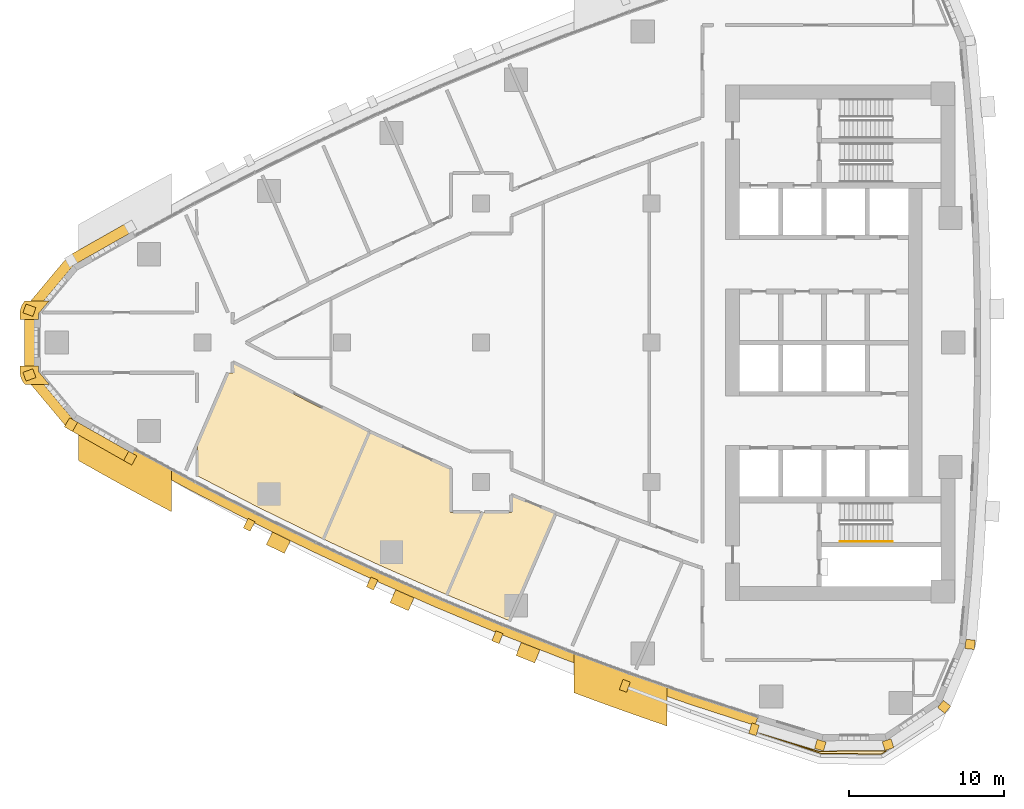
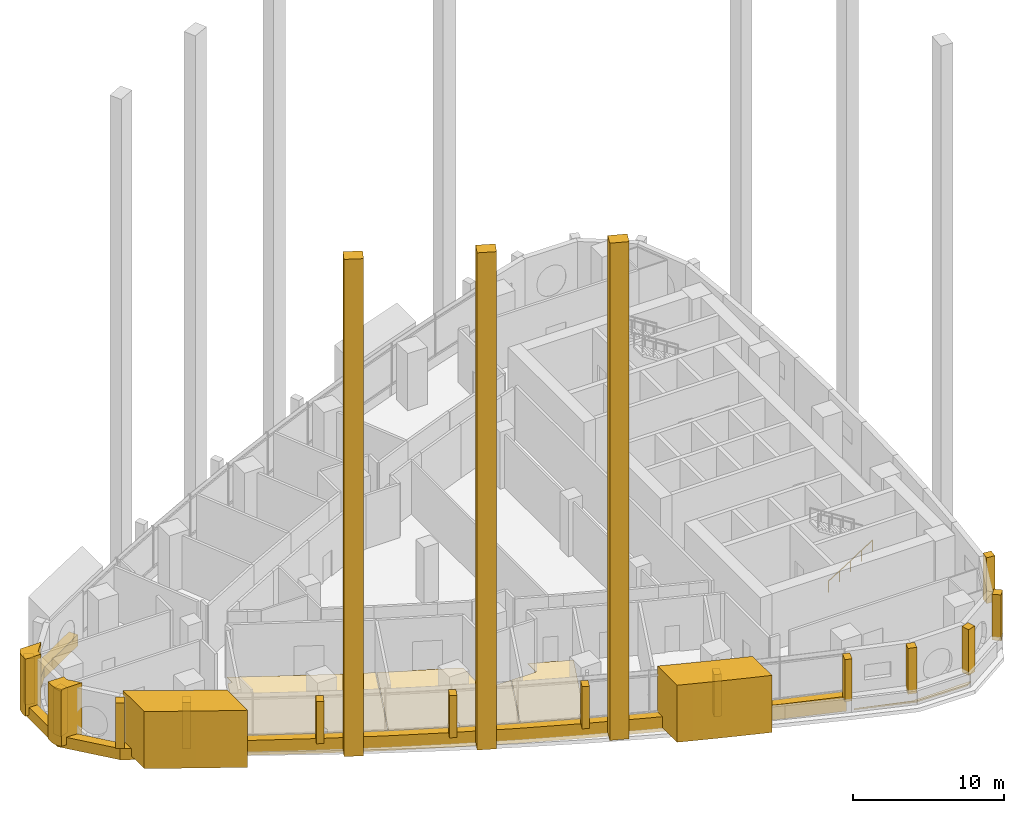
# One storey, part 13 of 17: 26 coverings, 1 railing.
"""IFC4 building model written with IfcOpenShell, lengths in metres."""

import ifcopenshell
import ifcopenshell.guid

model = None  # the IFC model being written
_history = None  # IfcOwnerHistory: only IFC2X3 demands one
_inside = {}  # id of a spatial element -> (the spatial element, [elements in it])
_under = {}  # id of a project, library or spatial element -> (it, [spatial elements below it])
_declared = {}  # id of a project -> (the project, [libraries it declares])
_typed = {}  # id of a type object -> (the type object, [elements of that type])
_made_of = {}  # id of a material, layer set ... -> (it, [elements and type objects made of it])


def new_model(schema):
    """Start an empty IFC model of exactly this schema.

    Asked for "IFC4X3", IfcOpenShell would pick the latest addendum, in which some entities
    have other attributes; the version numbers below select the first issue.
    IFC2X3 requires an IfcOwnerHistory on every rooted entity: one is made here for all.
    """
    global model, _history
    if schema == "IFC4X3":
        model = ifcopenshell.file(schema_version=(4, 3, 0, 0))
    else:
        model = ifcopenshell.file(schema=schema)
    _inside.clear()
    _under.clear()
    _declared.clear()
    _typed.clear()
    _made_of.clear()
    _history = None
    if model.schema == "IFC2X3":
        org = make("IfcOrganization", Name="unknown")
        user = make(
            "IfcPersonAndOrganization",
            ThePerson=make("IfcPerson", FamilyName="unknown"),
            TheOrganization=org,
        )
        app = make(
            "IfcApplication",
            ApplicationDeveloper=org,
            Version="unknown",
            ApplicationFullName="unknown",
            ApplicationIdentifier="unknown",
        )
        _history = make(
            "IfcOwnerHistory",
            OwningUser=user,
            OwningApplication=app,
            ChangeAction="ADDED",
            CreationDate=0,
        )
    return model


def make(cls, **values):
    """One entity of the class cls with the attributes given. An attribute that is None is left unset."""
    return model.create_entity(
        cls, **{name: value for name, value in values.items() if value is not None}
    )


def rooted(cls, **values):
    """An entity with a GlobalId (a new one), such as an element, a storey or a relation."""
    return make(cls, GlobalId=ifcopenshell.guid.new(), OwnerHistory=_history, **values)


def si_unit(unit_type, name, prefix=None):
    """IfcSIUnit, for example si_unit("LENGTHUNIT", "METRE", prefix="MILLI")."""
    return make("IfcSIUnit", UnitType=unit_type, Prefix=prefix, Name=name)


def assignment(units):
    """IfcUnitAssignment: the units of a project."""
    return None if units is None else make("IfcUnitAssignment", Units=units)


def point(xyz):
    """IfcCartesianPoint."""
    return None if xyz is None else make("IfcCartesianPoint", Coordinates=xyz)


def direction(xyz):
    """IfcDirection."""
    return None if xyz is None else make("IfcDirection", DirectionRatios=xyz)


def frame(location, z_axis=None, x_axis=None):
    """IfcAxis2Placement3D, a coordinate frame: its origin and axes. An axis left out is left unset."""
    return make(
        "IfcAxis2Placement3D",
        Location=point(location),
        Axis=direction(z_axis),
        RefDirection=direction(x_axis),
    )


def frame_2d(location, x_axis=None):
    """IfcAxis2Placement2D, a coordinate frame in the plane: its origin and x axis."""
    return make(
        "IfcAxis2Placement2D", Location=point(location), RefDirection=direction(x_axis)
    )


def origin():
    """The frame at (0, 0, 0) with its axes left unset."""
    return frame((0.0, 0.0, 0.0))


def origin_2d():
    """The frame at (0, 0) in the plane with its x axis left unset."""
    return frame_2d((0.0, 0.0))


def place(relative_to, where):
    """IfcLocalPlacement: puts the frame where relative to a parent placement (None: the world)."""
    return make(
        "IfcLocalPlacement", PlacementRelTo=relative_to, RelativePlacement=where
    )


def context(
    kind, dimensions, precision=None, world=None, true_north=None, identifier=None
):
    """IfcGeometricRepresentationContext, for example the 3D "Model" context."""
    return make(
        "IfcGeometricRepresentationContext",
        ContextIdentifier=identifier,
        ContextType=kind,
        CoordinateSpaceDimension=dimensions,
        Precision=precision,
        WorldCoordinateSystem=world,
        TrueNorth=true_north,
    )


def subcontext(parent, identifier, kind, view, scale=None):
    """IfcGeometricRepresentationSubContext, for example "Body" below "Model"."""
    return make(
        "IfcGeometricRepresentationSubContext",
        ContextIdentifier=identifier,
        ContextType=kind,
        ParentContext=parent,
        TargetScale=scale,
        TargetView=view,
    )


def project(units=None, contexts=None):
    """IfcProject with its units and contexts."""
    return rooted(
        "IfcProject",
        Name="project",
        RepresentationContexts=contexts,
        UnitsInContext=assignment(units),
    )


def spatial(cls, under=None, at=None, **own):
    """A site, building, storey or space (cls), placed at a placement, below another one or the project."""
    s = rooted(cls, ObjectPlacement=at, **own)
    if under is not None:
        _under.setdefault(under.id(), (under, []))[1].append(s)
    return s


def polyline(points):
    """IfcPolyline through the points."""
    return make("IfcPolyline", Points=[point(p) for p in points])


def profile(cls, at=None, kind="AREA", **sizes):
    """A parametric profile (cls). Its sizes go by their IFC names, for example OverallWidth=200.0."""
    return make(cls, ProfileType=kind, Position=at, **sizes)


def rectangle(**sizes):
    """IfcRectangleProfileDef."""
    return profile("IfcRectangleProfileDef", **sizes)


def circle(**sizes):
    """IfcCircleProfileDef."""
    return profile("IfcCircleProfileDef", **sizes)


def outline(outer, holes=None, kind="AREA"):
    """IfcArbitraryClosedProfileDef: a profile drawn as a closed curve; with holes, ...WithVoids."""
    if holes is None:
        return make("IfcArbitraryClosedProfileDef", ProfileType=kind, OuterCurve=outer)
    return make(
        "IfcArbitraryProfileDefWithVoids",
        ProfileType=kind,
        OuterCurve=outer,
        InnerCurves=holes,
    )


def extrude(swept, where, along, depth):
    """IfcExtrudedAreaSolid: the profile swept, set in the frame where, extruded along a direction by depth."""
    return make(
        "IfcExtrudedAreaSolid",
        SweptArea=swept,
        Position=where,
        ExtrudedDirection=direction(along),
        Depth=depth,
    )


def shape(context_of_items, identifier, shape_type, items):
    """IfcShapeRepresentation: the items that make up one representation, for example the "Body"."""
    return make(
        "IfcShapeRepresentation",
        ContextOfItems=context_of_items,
        RepresentationIdentifier=identifier,
        RepresentationType=shape_type,
        Items=items,
    )


def material(Name=None, Category=None):
    """IfcMaterial."""
    return make("IfcMaterial", Name=Name, Category=Category)


def layer(
    of_material, thickness, ventilated=None, Name=None, Category=None, Priority=None
):
    """IfcMaterialLayer: one layer of a wall or slab, of a material (None: an air gap)."""
    return make(
        "IfcMaterialLayer",
        Material=of_material,
        LayerThickness=thickness,
        IsVentilated=ventilated,
        Name=Name,
        Category=Category,
        Priority=Priority,
    )


def layer_set(layers, Name=None):
    """IfcMaterialLayerSet."""
    return make("IfcMaterialLayerSet", MaterialLayers=layers, LayerSetName=Name)


def made_of(thing, what):
    """Note that an element or type object is made of a material, layer set ...; save() writes the relation."""
    if what is not None:
        _made_of.setdefault(what.id(), (what, []))[1].append(thing)
    return thing


def type_object(cls, material=None, **own):
    """A type object (cls), such as IfcWallType, which elements share."""
    return made_of(rooted(cls, **own), material)


def element(
    cls,
    number,
    at=None,
    inside=None,
    cuts=None,
    type_object=None,
    material=None,
    context=None,
    identifier="Body",
    shape_type=None,
    held_by="IfcProductDefinitionShape",
    body=None,
    shapes=None,
    **own,
):
    """One element of the class cls, such as IfcWall. Its Tag is "e" and its number.

    at: its placement. inside: the storey or other place that contains it. cuts: it is an
    opening in that element (IfcRelVoidsElement). A single representation is given by context,
    identifier, shape_type and body (its items); several are given by shapes. held_by: the class
    of the entity that holds the representations. save() writes the other relations.
    """
    e = rooted(cls, Tag="e%d" % number, ObjectPlacement=at, **own)
    if body is not None:
        shapes = [shape(context, identifier, shape_type, body)]
    if shapes is not None:
        e.Representation = make(held_by, Representations=shapes)
    if inside is not None:
        _inside.setdefault(inside.id(), (inside, []))[1].append(e)
    if cuts is not None:
        rooted(
            "IfcRelVoidsElement", RelatingBuildingElement=cuts, RelatedOpeningElement=e
        )
    if type_object is not None:
        _typed.setdefault(type_object.id(), (type_object, []))[1].append(e)
    return made_of(e, material)


def aggregate(whole, parts):
    """IfcRelAggregates: a whole, such as a stair, and the parts it consists of."""
    return rooted("IfcRelAggregates", RelatingObject=whole, RelatedObjects=parts)


def save(model, path):
    """Write the relations noted so far, then the file.

    IfcRelAggregates (storeys below a building ...), IfcRelContainedInSpatialStructure (elements
    in a storey), IfcRelDefinesByType, IfcRelAssociatesMaterial and IfcRelDeclares: one each for
    every whole, place, type object, material and project.
    """
    for whole, parts in _under.values():
        aggregate(whole, parts)
    for where, things in _inside.values():
        rooted(
            "IfcRelContainedInSpatialStructure",
            RelatedElements=things,
            RelatingStructure=where,
        )
    for kind, things in _typed.values():
        rooted("IfcRelDefinesByType", RelatedObjects=things, RelatingType=kind)
    for what, things in _made_of.values():
        rooted("IfcRelAssociatesMaterial", RelatedObjects=things, RelatingMaterial=what)
    for by, libraries in _declared.values():
        rooted("IfcRelDeclares", RelatingContext=by, RelatedDefinitions=libraries)
    model.write(path)


model = new_model("IFC4")

# Units and contexts
model_context = context("Model", 3, precision=1e-05, world=origin(), true_north=direction((0.0, 1.0)))
body_context = subcontext(model_context, "Body", "Model", "MODEL_VIEW")
ifc_project = project(units=[si_unit("LENGTHUNIT", "METRE"), si_unit("AREAUNIT", "SQUARE_METRE"), si_unit("VOLUMEUNIT", "CUBIC_METRE"), si_unit("PLANEANGLEUNIT", "RADIAN"), si_unit("MASSUNIT", "GRAM", prefix="KILO")], contexts=[model_context])

# Site, building, storey
site_placement = place(None, origin())
site = spatial("IfcSite", under=ifc_project, at=site_placement, CompositionType="ELEMENT")
building_placement = place(site_placement, origin())
building = spatial("IfcBuilding", under=site, at=building_placement, Name="Ostrand Prow Hotel Tower", CompositionType="ELEMENT")
storey_placement = place(building_placement, frame((0.0, 0.0, 125.60009765625)))
storey = spatial("IfcBuildingStorey", under=building, at=storey_placement, Name="L30", CompositionType="ELEMENT", Elevation=125.60009765625)

# Coverings
ifc_material_1 = material(Name="Bronze anodised aluminium cladding", Category="aluminium")
ifc_layer_1 = layer(ifc_material_1, 0.60009765625)
ifc_layer_set_1 = layer_set([ifc_layer_1], Name="Bronze anodised aluminium cladding")
covering_type_1 = type_object("IfcCoveringType", Name="Bronze prow band 899x600", PredefinedType="CLADDING", material=ifc_layer_set_1)
covering_1_placement = place(storey_placement, frame((0.0, 0.0, -0.300048828125)))
element("IfcCovering", 1, at=covering_1_placement, inside=storey, type_object=covering_type_1, Name="Bronze prow band", PredefinedType="CLADDING", context=body_context, shape_type="SweptSolid", body=[
    extrude(outline(polyline([(11.16845703125, 7.766845703125), (7.335205078125, 5.594970703125), (4.5009765625, 2.208251953125), (4.5009765625, -2.208251953125), (7.335205078125, -5.594970703125), (11.16845703125, -7.766845703125), (11.497802734375, -7.171875), (7.676513671875, -5.006591796875), (5.14013671875, -1.97607421875), (5.14013671875, 1.97607421875), (7.676513671875, 5.006591796875), (11.497802734375, 7.171875), (11.16845703125, 7.766845703125)])), origin(), (0.0, 0.0, 1.0), 0.89990234375),
])
ifc_material_2 = material(Name="Bronze anodised aluminium cladding", Category="aluminium")
ifc_layer_2 = layer(ifc_material_2, 0.60009765625)
ifc_layer_set_2 = layer_set([ifc_layer_2], Name="Bronze anodised aluminium cladding")
covering_type_2 = type_object("IfcCoveringType", Name="Bronze spandrel band 1200x600", PredefinedType="CLADDING", material=ifc_layer_set_2)
covering_2_placement = place(storey_placement, frame((0.0, 0.0, -0.300048828125)))
element("IfcCovering", 2, at=covering_2_placement, inside=storey, type_object=covering_type_2, Name="Spandrel band S1", PredefinedType="CLADDING", context=body_context, shape_type="SweptSolid", body=[
    extrude(outline(polyline([(11.3466796875, -7.445068359375), (15.21630859375, -9.535888671875), (19.126953125, -11.548828125), (23.077392578125, -13.482666015625), (27.06591796875, -15.336669921875), (31.091064453125, -17.110107421875), (35.15087890625, -18.80224609375), (39.243896484375, -20.41259765625), (43.368408203125, -21.9404296875), (47.522705078125, -23.385009765625), (51.705322265625, -24.74560546875), (51.88525390625, -24.17333984375), (47.714111328125, -22.81640625), (43.571044921875, -21.375732421875), (39.457763671875, -19.85205078125), (35.376220703125, -18.24609375), (31.327392578125, -16.55859375), (27.3134765625, -14.7900390625), (23.335693359375, -12.941162109375), (19.396240234375, -11.0126953125), (15.49609375, -9.00537109375), (11.63720703125, -6.920166015625), (11.3466796875, -7.445068359375)])), origin(), (0.0, 0.0, 1.0), 1.199951171875),
])
ifc_material_3 = material(Name="Limestone cladding", Category="masonry")
ifc_layer_3 = layer(ifc_material_3, 5.0)
ifc_layer_set_3 = layer_set([ifc_layer_3], Name="Limestone cladding")
covering_type_3 = type_object("IfcCoveringType", Name="Portal jamb pilaster limestone", PredefinedType="CLADDING", material=ifc_layer_set_3)
covering_3_placement = place(storey_placement, origin())
element("IfcCovering", 3, at=covering_3_placement, inside=storey, type_object=covering_type_3, Name="Portal jamb SA L30", PredefinedType="CLADDING", context=body_context, shape_type="SweptSolid", body=[
    extrude(outline(polyline([(8.0, -4.861572265625), (8.0, -7.62939453125), (9.0, -8.1962890625), (10.0, -8.75634765625), (11.0, -9.3095703125), (12.0, -9.856201171875), (13.0, -10.39599609375), (14.0, -10.92919921875), (14.0, -8.208740234375), (13.0, -7.66796875), (12.0, -7.12060546875), (11.0, -6.566162109375), (10.0, -6.0048828125), (9.0, -5.436767578125), (8.0, -4.861572265625)])), origin(), (0.0, 0.0, 1.0), 4.599853515625),
])
covering_4_placement = place(storey_placement, origin())
element("IfcCovering", 4, at=covering_4_placement, inside=storey, type_object=covering_type_3, Name="Portal jamb SB L30", PredefinedType="CLADDING", context=body_context, shape_type="SweptSolid", body=[
    extrude(outline(polyline([(40.0, -20.058349609375), (40.0, -22.622802734375), (41.0, -22.994140625), (42.0, -23.360107421875), (43.0, -23.720458984375), (44.0, -24.075439453125), (45.0, -24.425048828125), (46.0, -24.769287109375), (46.0, -22.231689453125), (45.0, -21.883056640625), (44.0, -21.529296875), (43.0, -21.169921875), (42.0, -20.804931640625), (41.0, -20.434326171875), (40.0, -20.058349609375)])), origin(), (0.0, 0.0, 1.0), 4.599853515625),
])
ifc_material_4 = material(Name="Limestone cladding", Category="masonry")
ifc_layer_4 = layer(ifc_material_4, 1.300048828125)
ifc_layer_set_4 = layer_set([ifc_layer_4], Name="Limestone cladding")
covering_type_4 = type_object("IfcCoveringType", Name="Precast stone fin 1300x1500", PredefinedType="CLADDING", material=ifc_layer_set_4)
for number, where, z_axis, x_axis, name in (
    (5, (21.097412109375, -12.525634765625, 0.0), (0.0, 0.0, 1.0), (-0.43971117425, -0.898139233771, 0.0), "Stone fin S zone 3 3"),
    (6, (29.073974609375, -16.2333984375, 0.0), (0.0, 0.0, 1.0), (-0.403065824357, -0.915170990163, 0.0), "Stone fin S zone 3 5"),
):
    element("IfcCovering", number, at=place(storey_placement, frame(where, z_axis=z_axis, x_axis=x_axis)), inside=storey, type_object=covering_type_4, Name=name, PredefinedType="CLADDING", context=body_context, shape_type="SweptSolid", body=[
        extrude(rectangle(XDim=0.900146484375, YDim=1.300048828125, at=frame_2d((0.4501953125, 0.0))), origin(), (0.0, 0.0, 1.0), 40.099853515625),
    ])
covering_5_placement = place(storey_placement, frame((37.193115234375, -19.617919921875, 0.0), z_axis=(0.0, 0.0, 1.0), x_axis=(-0.366004906729, -0.930612920741, 0.0)))
element("IfcCovering", 7, at=covering_5_placement, inside=storey, type_object=covering_type_4, Name="Stone fin S zone 3 7", PredefinedType="CLADDING", context=body_context, shape_type="SweptSolid", body=[
    extrude(rectangle(XDim=0.89990234375, YDim=1.300048828125, at=frame_2d((0.449951171875, 0.0))), origin(), (0.0, 0.0, 1.0), 40.099853515625),
])
ifc_material_5 = material(Name="Limestone cladding", Category="masonry")
ifc_layer_5 = layer(ifc_material_5, 0.5)
ifc_layer_set_5 = layer_set([ifc_layer_5], Name="Limestone cladding")
covering_type_5 = type_object("IfcCoveringType", Name="Precast stone fin 500x600", PredefinedType="CLADDING", material=ifc_layer_set_5)
for number, where, z_axis, x_axis, name in (
    (8, (19.171875, -11.45947265625, 0.89990234375), (0.0, 0.0, 1.0), (-0.448608411822, -0.893728422309, 0.0), "Stone fin S 3"),
    (9, (27.107177734375, -15.24560546875, 0.89990234375), (0.0, 0.0, 1.0), (-0.412278168788, -0.911058017659, 0.0), "Stone fin S 5"),
    (10, (35.188232421875, -18.709716796875, 0.89990234375), (0.0, 0.0, 1.0), (-0.375356894071, -0.926880360173, 0.0), "Stone fin S 7"),
):
    element("IfcCovering", number, at=place(storey_placement, frame(where, z_axis=z_axis, x_axis=x_axis)), inside=storey, type_object=covering_type_5, Name=name, PredefinedType="CLADDING", context=body_context, shape_type="SweptSolid", body=[
        extrude(rectangle(XDim=0.699951171875, YDim=0.5, at=frame_2d((0.35009765625, 0.0))), origin(), (0.0, 0.0, 1.0), 3.39990234375),
    ])
covering_6_placement = place(storey_placement, frame((43.402099609375, -21.84619140625, 0.89990234375), z_axis=(0.0, 0.0, 1.0), x_axis=(-0.337904356877, -0.941180453263, 0.0)))
element("IfcCovering", 11, at=covering_6_placement, inside=storey, type_object=covering_type_5, Name="Stone fin S 9", PredefinedType="CLADDING", context=body_context, shape_type="SweptSolid", body=[
    extrude(rectangle(XDim=0.7001953125, YDim=0.5, at=frame_2d((0.35009765625, 0.0))), origin(), (0.0, 0.0, 1.0), 3.39990234375),
])
covering_7_placement = place(storey_placement, frame((51.7353515625, -24.650390625, 0.89990234375), z_axis=(0.0, 0.0, 1.0), x_axis=(-0.299962638808, -0.953950950164, 0.0)))
element("IfcCovering", 12, at=covering_7_placement, inside=storey, type_object=covering_type_5, Name="Stone fin S 11", PredefinedType="CLADDING", context=body_context, shape_type="SweptSolid", body=[
    extrude(rectangle(XDim=0.699951171875, YDim=0.5, at=frame_2d((0.35009765625, 0.0))), origin(), (0.0, 0.0, 1.0), 3.39990234375),
])
ifc_material_6 = material(Name="Limestone cladding", Category="masonry")
ifc_layer_6 = layer(ifc_material_6, 0.60009765625)
ifc_layer_set_6 = layer_set([ifc_layer_6], Name="Limestone cladding")
covering_type_6 = type_object("IfcCoveringType", Name="Precast stone prow rib 600x600", PredefinedType="CLADDING", material=ifc_layer_set_6)
for number, where, z_axis, x_axis, name in (
    (13, (5.14013671875, 1.97607421875, 0.599853515625), (0.0, 0.0, 1.0), (-0.939908674991, 0.341425954896, 0.0), "Stone prow rib 3"),
    (14, (5.14013671875, -1.97607421875, 0.599853515625), (0.0, 0.0, 1.0), (-0.939908674991, -0.341425954896, 0.0), "Stone prow rib 4"),
):
    element("IfcCovering", number, at=place(storey_placement, frame(where, z_axis=z_axis, x_axis=x_axis)), inside=storey, type_object=covering_type_6, Name=name, PredefinedType="CLADDING", context=body_context, shape_type="SweptSolid", body=[
        extrude(rectangle(XDim=0.679931640625, YDim=0.60009765625, at=frame_2d((0.33984375, 0.0))), origin(), (0.0, 0.0, 1.0), 3.699951171875),
    ])
covering_8_placement = place(storey_placement, frame((7.676513671875, -5.006591796875, 0.599853515625), z_axis=(0.0, 0.0, 1.0), x_axis=(-0.501771803437, -0.865000033107, 0.0)))
element("IfcCovering", 15, at=covering_8_placement, inside=storey, type_object=covering_type_6, Name="Stone prow rib 5", PredefinedType="CLADDING", context=body_context, shape_type="SweptSolid", body=[
    extrude(rectangle(XDim=0.68017578125, YDim=0.60009765625, at=frame_2d((0.340087890625, 0.0))), origin(), (0.0, 0.0, 1.0), 3.699951171875),
])
covering_9_placement = place(storey_placement, frame((11.497802734375, -7.171875, 0.599853515625), z_axis=(0.0, 0.0, 1.0), x_axis=(-0.484301161624, -0.874901357211, 0.0)))
element("IfcCovering", 16, at=covering_9_placement, inside=storey, type_object=covering_type_6, Name="Stone prow rib 6", PredefinedType="CLADDING", context=body_context, shape_type="SweptSolid", body=[
    extrude(rectangle(XDim=0.679931640625, YDim=0.60009765625, at=frame_2d((0.33984375, 0.0))), origin(), (0.0, 0.0, 1.0), 3.699951171875),
])
covering_10_placement = place(storey_placement, frame((56.001953125, -25.722412109375, 0.599853515625), z_axis=(0.0, 0.0, 1.0), x_axis=(-0.280734221166, -0.959785547436, 0.0)))
element("IfcCovering", 17, at=covering_10_placement, inside=storey, type_object=covering_type_6, Name="Stone corner rib 2a", PredefinedType="CLADDING", context=body_context, shape_type="SweptSolid", body=[
    extrude(rectangle(XDim=0.60009765625, YDim=0.60009765625, at=frame_2d((0.300048828125, 0.0))), origin(), (0.0, 0.0, 1.0), 3.699951171875),
])
for number, where, z_axis, x_axis, name in (
    (18, (60.201171875, -25.689697265625, 0.599853515625), (0.0, 0.0, 1.0), (0.295515682615, -0.955337888565, 0.0), "Stone corner rib 3a"),
    (19, (63.68505859375, -23.34521484375, 0.599853515625), (0.0, 0.0, 1.0), (0.773830327772, -0.633392945825, 0.0), "Stone corner rib 4a"),
):
    element("IfcCovering", number, at=place(storey_placement, frame(where, z_axis=z_axis, x_axis=x_axis)), inside=storey, type_object=covering_type_6, Name=name, PredefinedType="CLADDING", context=body_context, shape_type="SweptSolid", body=[
        extrude(rectangle(XDim=0.599853515625, YDim=0.60009765625, at=frame_2d((0.2998046875, 0.0))), origin(), (0.0, 0.0, 1.0), 3.699951171875),
    ])
covering_11_placement = place(storey_placement, frame((65.296875, -19.467529296875, 0.599853515625), z_axis=(0.0, 0.0, 1.0), x_axis=(0.994854249607, -0.101316445052, 0.0)))
element("IfcCovering", 20, at=covering_11_placement, inside=storey, type_object=covering_type_6, Name="Stone corner rib 4b", PredefinedType="CLADDING", context=body_context, shape_type="SweptSolid", body=[
    extrude(rectangle(XDim=0.60009765625, YDim=0.60009765625, at=frame_2d((0.300048828125, 0.0))), origin(), (0.0, 0.0, 1.0), 3.699951171875),
])
ifc_material_7 = material(Name="Limestone cladding", Category="masonry")
ifc_layer_7 = layer(ifc_material_7, 3.0)
ifc_layer_set_7 = layer_set([ifc_layer_7], Name="Limestone cladding")
covering_type_7 = type_object("IfcCoveringType", Name="Prow nose pier limestone", PredefinedType="CLADDING", material=ifc_layer_set_7)
covering_12_placement = place(storey_placement, origin())
element("IfcCovering", 21, at=covering_12_placement, inside=storey, type_object=covering_type_7, Name="Prow spine fin N L30", PredefinedType="CLADDING", context=body_context, shape_type="SweptSolid", body=[
    extrude(outline(polyline([(4.210693359375, 1.877685546875), (4.210693359375, 1.5), (5.41064453125, 1.5), (5.41064453125, 1.877685546875), (6.098876953125, 2.699951171875), (4.533935546875, 2.699951171875), (4.490478515625, 2.64794921875), (4.41845703125, 2.552490234375), (4.356201171875, 2.45068359375), (4.304443359375, 2.343017578125), (4.263916015625, 2.230712890625), (4.234375, 2.114990234375), (4.216552734375, 1.9970703125), (4.210693359375, 1.877685546875)])), origin(), (0.0, 0.0, 1.0), 4.599853515625),
])
covering_13_placement = place(storey_placement, origin())
element("IfcCovering", 22, at=covering_13_placement, inside=storey, type_object=covering_type_7, Name="Prow spine fin S L30", PredefinedType="CLADDING", context=body_context, shape_type="SweptSolid", body=[
    extrude(outline(polyline([(4.490478515625, -2.64794921875), (4.533935546875, -2.699951171875), (6.098876953125, -2.699951171875), (5.41064453125, -1.877685546875), (5.41064453125, -1.5), (4.210693359375, -1.5), (4.210693359375, -1.877685546875), (4.216552734375, -1.9970703125), (4.234375, -2.114990234375), (4.263916015625, -2.230712890625), (4.304443359375, -2.343017578125), (4.356201171875, -2.45068359375), (4.41845703125, -2.552490234375), (4.490478515625, -2.64794921875)])), origin(), (0.0, 0.0, 1.0), 4.599853515625),
])
ifc_material_8 = material(Name="Bituminous membrane, insulation and stone ballast", Category="masonry")
ifc_layer_8 = layer(ifc_material_8, 0.1201171875)
ifc_layer_set_8 = layer_set([ifc_layer_8], Name="Bituminous membrane, insulation and stone ballast")
covering_type_8 = type_object("IfcCoveringType", Name="Roof build-up membrane, insulation and stone ballast 120 mm", PredefinedType="ROOFING", material=ifc_layer_set_8)
covering_14_placement = place(storey_placement, origin())
element("IfcCovering", 23, at=covering_14_placement, inside=storey, type_object=covering_type_8, Name="Roof build-up Ledge roof slab L30.1 1", PredefinedType="ROOFING", context=body_context, shape_type="SweptSolid", body=[
    extrude(outline(polyline([(52.001220703125, -25.24072265625), (55.951904296875, -26.5498046875), (59.859375, -26.59912109375), (60.221923828125, -26.360595703125), (55.811279296875, -26.395263671875), (55.809326171875, -26.39501953125), (55.807373046875, -26.394775390625), (55.805419921875, -26.394287109375), (52.001220703125, -25.24072265625)])), origin(), (0.0, 0.0, 1.0), 0.119873046875),
])

# Railing
ifc_material_9 = material(Name="Stainless steel", Category="steel")
railing_type = type_object("IfcRailingType", Name="Stair handrail 900", PredefinedType="HANDRAIL", material=ifc_material_9)
railing_placement = place(storey_placement, frame((57.199951171875, -12.85009765625, 0.1767578125)))
element("IfcRailing", 24, at=railing_placement, inside=storey, type_object=railing_type, Name="L30 ST2C stair handrail 1", PredefinedType="HANDRAIL", context=body_context, shape_type="SweptSolid", body=[
    extrude(circle(Radius=0.02392578125, at=origin_2d()), frame((0.0, 0.0, 0.8759765625), z_axis=(0.845389635667, 0.0, 0.534150132366), x_axis=(0.0, 1.0, 0.0)), (0.0, 0.0, 1.0), 3.974609375),
    extrude(circle(Radius=0.02099609375, at=origin_2d()), origin(), (0.0, 0.0, 1.0), 0.851806640625),
    extrude(circle(Radius=0.02099609375, at=origin_2d()), frame((0.840087890625, 0.0, 0.53076171875)), (0.0, 0.0, 1.0), 0.851806640625),
    extrude(circle(Radius=0.02099609375, at=origin_2d()), frame((1.68017578125, 0.0, 1.0615234375)), (0.0, 0.0, 1.0), 0.851806640625),
    extrude(circle(Radius=0.02099609375, at=origin_2d()), frame((2.52001953125, 0.0, 1.59228515625)), (0.0, 0.0, 1.0), 0.851806640625),
    extrude(circle(Radius=0.02099609375, at=origin_2d()), frame((3.360107421875, 0.0, 2.123046875)), (0.0, 0.0, 1.0), 0.851806640625),
])

# Coverings
ifc_material_10 = material(Name="Polished limestone", Category="masonry")
ifc_layer_9 = layer(ifc_material_10, 0.030029296875)
ifc_layer_set_9 = layer_set([ifc_layer_9], Name="Polished limestone")
covering_type_9 = type_object("IfcCoveringType", Name="Stone floor finish 30 mm", PredefinedType="FLOORING", material=ifc_layer_set_9)
covering_15_placement = place(storey_placement, origin())
element("IfcCovering", 25, at=covering_15_placement, inside=storey, type_object=covering_type_9, Name="Floor finish Restaurant", PredefinedType="FLOORING", context=body_context, shape_type="SweptSolid", body=[
    extrude(outline(polyline([(19.584716796875, -10.63720703125), (23.790283203125, -12.688720703125), (26.783447265625, -5.74853515625), (22.974365234375, -3.885009765625), (17.97509765625, -1.279296875), (17.974609375, -1.9716796875), (17.654052734375, -1.974853515625), (15.683837890625, -6.543701171875), (15.683837890625, -8.61328125), (19.584716796875, -10.63720703125)]), holes=[polyline([(20.6328125, -10.010009765625), (20.609375, -10.04150390625), (20.5830078125, -10.070556640625), (20.553955078125, -10.096923828125), (20.522216796875, -10.120361328125), (20.48876953125, -10.140625), (20.453125, -10.157470703125), (20.416259765625, -10.170654296875), (20.378173828125, -10.18017578125), (20.33935546875, -10.185791015625), (20.300048828125, -10.187744140625), (20.260986328125, -10.185791015625), (20.22216796875, -10.18017578125), (20.18408203125, -10.170654296875), (20.14697265625, -10.157470703125), (20.111572265625, -10.140625), (20.077880859375, -10.120361328125), (20.04638671875, -10.096923828125), (20.017333984375, -10.070556640625), (19.990966796875, -10.04150390625), (19.967529296875, -10.010009765625), (19.947265625, -9.976318359375), (19.930419921875, -9.94091796875), (19.917236328125, -9.90380859375), (19.90771484375, -9.86572265625), (19.902099609375, -9.826904296875), (19.900146484375, -9.787841796875), (19.902099609375, -9.74853515625), (19.90771484375, -9.709716796875), (19.917236328125, -9.671630859375), (19.930419921875, -9.634765625), (19.947265625, -9.59912109375), (19.967529296875, -9.565673828125), (19.990966796875, -9.533935546875), (20.017333984375, -9.5048828125), (20.04638671875, -9.478515625), (20.077880859375, -9.455078125), (20.111572265625, -9.43505859375), (20.14697265625, -9.418212890625), (20.18408203125, -9.405029296875), (20.22216796875, -9.3955078125), (20.260986328125, -9.3896484375), (20.300048828125, -9.3876953125), (20.33935546875, -9.3896484375), (20.378173828125, -9.3955078125), (20.416259765625, -9.405029296875), (20.453125, -9.418212890625), (20.48876953125, -9.43505859375), (20.522216796875, -9.455078125), (20.553955078125, -9.478515625), (20.5830078125, -9.5048828125), (20.609375, -9.533935546875), (20.6328125, -9.565673828125), (20.65283203125, -9.59912109375), (20.669677734375, -9.634765625), (20.682861328125, -9.671630859375), (20.6923828125, -9.709716796875), (20.6982421875, -9.74853515625), (20.7001953125, -9.787841796875), (20.6982421875, -9.826904296875), (20.6923828125, -9.86572265625), (20.682861328125, -9.90380859375), (20.669677734375, -9.94091796875), (20.65283203125, -9.976318359375), (20.6328125, -10.010009765625)])]), origin(), (0.0, 0.0, 1.0), 0.02978515625),
])
covering_16_placement = place(storey_placement, origin())
element("IfcCovering", 26, at=covering_16_placement, inside=storey, type_object=covering_type_9, Name="Floor finish Restaurant", PredefinedType="FLOORING", context=body_context, shape_type="SweptSolid", body=[
    extrude(outline(polyline([(27.486572265625, -14.407470703125), (31.76806640625, -16.287109375), (34.058837890625, -10.97509765625), (32.027099609375, -10.97412109375), (32.02490234375, -8.15087890625), (26.82421875, -5.767578125), (23.8310546875, -12.708251953125), (27.486572265625, -14.407470703125)]), holes=[polyline([(28.55810546875, -13.735595703125), (28.537841796875, -13.769287109375), (28.514404296875, -13.80078125), (28.488037109375, -13.829833984375), (28.458984375, -13.856201171875), (28.427490234375, -13.879638671875), (28.393798828125, -13.89990234375), (28.3583984375, -13.91650390625), (28.3212890625, -13.9296875), (28.283203125, -13.939208984375), (28.244384765625, -13.945068359375), (28.205078125, -13.947021484375), (28.166015625, -13.945068359375), (28.127197265625, -13.939208984375), (28.089111328125, -13.9296875), (28.052001953125, -13.91650390625), (28.0166015625, -13.89990234375), (27.98291015625, -13.879638671875), (27.951416015625, -13.856201171875), (27.92236328125, -13.829833984375), (27.89599609375, -13.80078125), (27.87255859375, -13.769287109375), (27.852294921875, -13.735595703125), (27.835693359375, -13.7001953125), (27.822509765625, -13.6630859375), (27.81298828125, -13.625), (27.80712890625, -13.586181640625), (27.80517578125, -13.547119140625), (27.80712890625, -13.5078125), (27.81298828125, -13.468994140625), (27.822509765625, -13.430908203125), (27.835693359375, -13.393798828125), (27.852294921875, -13.3583984375), (27.87255859375, -13.32470703125), (27.89599609375, -13.293212890625), (27.92236328125, -13.26416015625), (27.951416015625, -13.23779296875), (27.98291015625, -13.21435546875), (28.0166015625, -13.194091796875), (28.052001953125, -13.177490234375), (28.089111328125, -13.164306640625), (28.127197265625, -13.15478515625), (28.166015625, -13.14892578125), (28.205078125, -13.14697265625), (28.244384765625, -13.14892578125), (28.283203125, -13.15478515625), (28.3212890625, -13.164306640625), (28.3583984375, -13.177490234375), (28.393798828125, -13.194091796875), (28.427490234375, -13.21435546875), (28.458984375, -13.23779296875), (28.488037109375, -13.26416015625), (28.514404296875, -13.293212890625), (28.537841796875, -13.32470703125), (28.55810546875, -13.3583984375), (28.57470703125, -13.393798828125), (28.587890625, -13.430908203125), (28.597412109375, -13.468994140625), (28.603271484375, -13.5078125), (28.605224609375, -13.547119140625), (28.603271484375, -13.586181640625), (28.597412109375, -13.625), (28.587890625, -13.6630859375), (28.57470703125, -13.7001953125), (28.55810546875, -13.735595703125)])]), origin(), (0.0, 0.0, 1.0), 0.02978515625),
])
covering_17_placement = place(storey_placement, origin())
element("IfcCovering", 27, at=covering_17_placement, inside=storey, type_object=covering_type_9, Name="Floor finish Bar", PredefinedType="FLOORING", context=body_context, shape_type="SweptSolid", body=[
    extrude(outline(polyline([(31.8095703125, -16.3046875), (35.810546875, -17.965576171875), (36.079345703125, -17.34228515625), (36.067138671875, -17.336669921875), (36.033447265625, -17.31640625), (36.001953125, -17.293212890625), (35.972900390625, -17.2666015625), (35.946533203125, -17.23779296875), (35.923095703125, -17.2060546875), (35.90283203125, -17.172607421875), (35.885986328125, -17.136962890625), (35.872802734375, -17.10009765625), (35.86328125, -17.06201171875), (35.857666015625, -17.023193359375), (35.855712890625, -16.98388671875), (35.857666015625, -16.944580078125), (35.86328125, -16.906005859375), (35.872802734375, -16.867919921875), (35.885986328125, -16.830810546875), (35.90283203125, -16.79541015625), (35.923095703125, -16.76171875), (35.946533203125, -16.72998046875), (35.972900390625, -16.701171875), (36.001953125, -16.6748046875), (36.033447265625, -16.6513671875), (36.067138671875, -16.631103515625), (36.1025390625, -16.6142578125), (36.1396484375, -16.60107421875), (36.177734375, -16.591552734375), (36.216552734375, -16.585693359375), (36.255615234375, -16.583984375), (36.294921875, -16.585693359375), (36.333740234375, -16.591552734375), (36.371826171875, -16.60107421875), (36.3955078125, -16.609619140625), (38.803955078125, -11.0244140625), (35.974853515625, -9.855712890625), (35.972900390625, -10.97412109375), (34.107421875, -10.97509765625), (31.8095703125, -16.3046875)])), origin(), (0.0, 0.0, 1.0), 0.02978515625),
])

save(model, "model.ifc")
